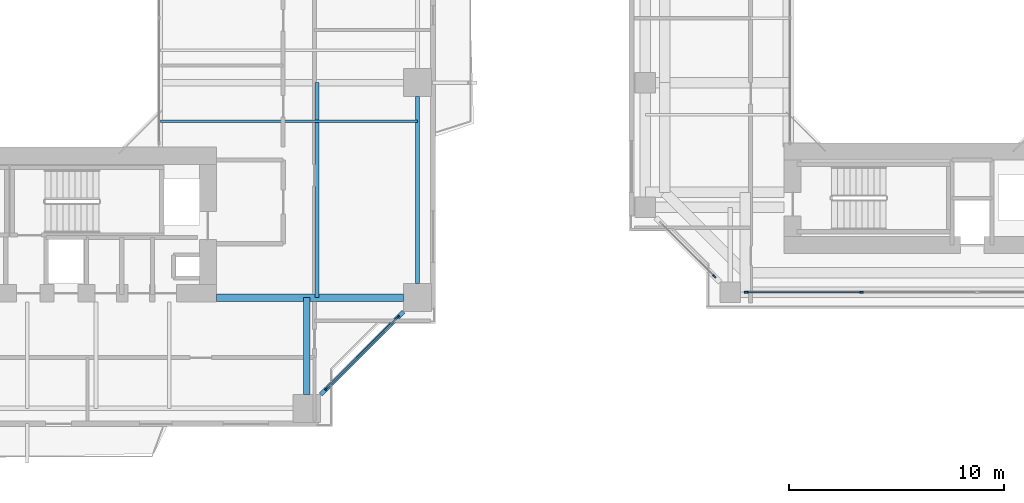
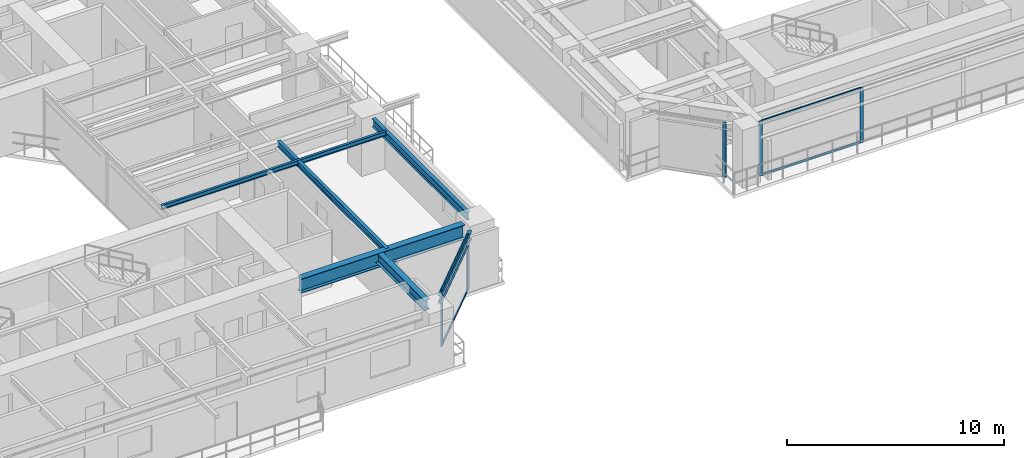
# One storey, part 5 of 23: 9 members, 6 beams, 3 elements without a shape of their own.
"""IFC4 building model written with IfcOpenShell, lengths in metres."""

from ifc_helpers import new_model, si_unit, direction, frame, origin, origin_2d, place, context, subcontext, project, spatial, rectangle, i_section, extrude, source, transform, mapped, material, layer, layer_set, material_profile, profile_set, type_object, element, aggregate, save


model = new_model("IFC4")

# Units and contexts
model_context = context("Model", 3, precision=1e-05, world=origin(), true_north=direction((0.0, 1.0)))
body_context = subcontext(model_context, "Body", "Model", "MODEL_VIEW")
ifc_project = project(units=[si_unit("LENGTHUNIT", "METRE"), si_unit("AREAUNIT", "SQUARE_METRE"), si_unit("VOLUMEUNIT", "CUBIC_METRE"), si_unit("PLANEANGLEUNIT", "RADIAN"), si_unit("MASSUNIT", "GRAM", prefix="KILO"), si_unit("THERMODYNAMICTEMPERATUREUNIT", "KELVIN"), si_unit("POWERUNIT", "WATT")], contexts=[model_context])

# Site, building, storey
site_placement = place(None, origin())
site = spatial("IfcSite", under=ifc_project, at=site_placement, CompositionType="ELEMENT")
building_placement = place(site_placement, origin())
building = spatial("IfcBuilding", under=site, at=building_placement, Name="Qiaomeng Ring Towers", CompositionType="ELEMENT")
storey_placement = place(building_placement, frame((0.0, 0.0, 66.5)))
storey = spatial("IfcBuildingStorey", under=building, at=storey_placement, Name="L18", CompositionType="ELEMENT", Elevation=66.5)

# Beams
ifc_material_1 = material(Name="Steel Q355B", Category="steel")
ifc_material_profile_1 = material_profile(ifc_material_1, i_section(OverallWidth=0.199951171875, OverallDepth=0.449951171875, WebThickness=0.009033203125, FlangeThickness=0.013916015625, FilletRadius=0.01806640625, at=origin_2d()), Name="HN 450x200x9x14")
ifc_profile_set_1 = profile_set([ifc_material_profile_1], Name="Steel Q355B")
beam_type_1 = type_object("IfcBeamType", Name="STR-BM-HN450", PredefinedType="SPANDREL", material=ifc_profile_set_1)
shared_shape_1 = source(origin(), body_context, "Body", "SweptSolid", [
    extrude(i_section(OverallWidth=0.199951171875, OverallDepth=0.449951171875, WebThickness=0.009033203125, FlangeThickness=0.013916015625, FilletRadius=0.01806640625, at=origin_2d()), origin(), (0.0, 0.0, 1.0), 5.446533203125),
])
beam_1_placement = place(storey_placement, frame((32.6494140625, 5.499267578125, 2.844970703125), z_axis=(0.707106781187, 0.707106781187, 0.0), x_axis=(-0.707106781187, 0.707106781187, 0.0)))
element("IfcBeam", 1, at=beam_1_placement, inside=storey, type_object=beam_type_1, Name="L18 beam STR-SP-L18-T1-S2-E1", PredefinedType="SPANDREL", context=body_context, shape_type="MappedRepresentation", body=[
    mapped(shared_shape_1, transform((0.0, 0.0, 0.0), x_axis=(1.0, 0.0, 0.0), y_axis=(0.0, 1.0, 0.0), z_axis=(0.0, 0.0, 1.0), scale=1.0)),
])
shared_shape_2 = source(origin(), body_context, "Body", "SweptSolid", [
    extrude(i_section(OverallWidth=0.199951171875, OverallDepth=0.449951171875, WebThickness=0.009033203125, FlangeThickness=0.013916015625, FilletRadius=0.01806640625, at=origin_2d()), origin(), (0.0, 0.0, 1.0), 8.7021484375),
])
beam_2_placement = place(storey_placement, frame((37.14990234375, 10.64892578125, 2.844970703125), z_axis=(0.0, 1.0, 0.0), x_axis=(-1.0, 0.0, 0.0)))
element("IfcBeam", 2, at=beam_2_placement, inside=storey, type_object=beam_type_1, Name="L18 beam STR-SP-L18-T1-E1-E2", PredefinedType="SPANDREL", context=body_context, shape_type="MappedRepresentation", body=[
    mapped(shared_shape_2, transform((0.0, 0.0, 0.0), x_axis=(1.0, 0.0, 0.0), y_axis=(0.0, 1.0, 0.0), z_axis=(0.0, 0.0, 1.0), scale=1.0)),
])
ifc_material_2 = material(Name="Steel Q390GJC", Category="steel")
ifc_material_profile_2 = material_profile(ifc_material_2, i_section(OverallWidth=0.35009765625, OverallDepth=0.800048828125, WebThickness=0.01611328125, FlangeThickness=0.028076171875, at=origin_2d()), Name="WH 800x350x16x28")
ifc_profile_set_2 = profile_set([ifc_material_profile_2], Name="Steel Q390GJC")
beam_type_2 = type_object("IfcBeamType", Name="STR-BM-WH800", PredefinedType="BEAM", material=ifc_profile_set_2)
shared_shape_3 = source(origin(), body_context, "Body", "SweptSolid", [
    extrude(i_section(OverallWidth=0.35009765625, OverallDepth=0.800048828125, WebThickness=0.01611328125, FlangeThickness=0.028076171875, at=origin_2d()), origin(), (0.0, 0.0, 1.0), 8.700927734375),
])
beam_3_placement = place(storey_placement, frame((27.800048828125, 10.0, 2.669921875), z_axis=(1.0, 0.0, 0.0), x_axis=(0.0, 1.0, 0.0)))
element("IfcBeam", 3, at=beam_3_placement, inside=storey, type_object=beam_type_2, Name="L18 beam STR-BM-L18-T1-RAD-E1", PredefinedType="BEAM", context=body_context, shape_type="MappedRepresentation", body=[
    mapped(shared_shape_3, transform((0.0, 0.0, 0.0), x_axis=(1.0, 0.0, 0.0), y_axis=(0.0, 1.0, 0.0), z_axis=(0.0, 0.0, 1.0), scale=1.0)),
])
ifc_material_profile_3 = material_profile(ifc_material_1, i_section(OverallWidth=0.300048828125, OverallDepth=0.587890625, WebThickness=0.011962890625, FlangeThickness=0.02001953125, FilletRadius=0.028076171875, at=origin_2d()), Name="HM 588x300x12x20")
ifc_profile_set_3 = profile_set([ifc_material_profile_3], Name="Steel Q355B")
beam_type_3 = type_object("IfcBeamType", Name="STR-BM-HM588", PredefinedType="BEAM", material=ifc_profile_set_3)
shared_shape_4 = source(origin(), body_context, "Body", "SweptSolid", [
    extrude(i_section(OverallWidth=0.300048828125, OverallDepth=0.587890625, WebThickness=0.011962890625, FlangeThickness=0.02001953125, FilletRadius=0.028076171875, at=origin_2d()), origin(), (0.0, 0.0, 1.0), 4.5009765625),
])
beam_4_placement = place(storey_placement, frame((32.0, 5.4990234375, 2.77587890625), z_axis=(0.0, 1.0, 0.0), x_axis=(-1.0, 0.0, 0.0)))
element("IfcBeam", 4, at=beam_4_placement, inside=storey, type_object=beam_type_3, Name="L18 beam STR-BM-L18-T1-RAD-S2", PredefinedType="BEAM", context=body_context, shape_type="MappedRepresentation", body=[
    mapped(shared_shape_4, transform((0.0, 0.0, 0.0), x_axis=(1.0, 0.0, 0.0), y_axis=(0.0, 1.0, 0.0), z_axis=(0.0, 0.0, 1.0), scale=1.0)),
])
ifc_material_profile_4 = material_profile(ifc_material_1, i_section(OverallWidth=0.125, OverallDepth=0.25, WebThickness=0.006103515625, FlangeThickness=0.009033203125, FilletRadius=0.011962890625, at=origin_2d()), Name="HN 250x125x6x9")
ifc_profile_set_4 = profile_set([ifc_material_profile_4], Name="Steel Q355B")
beam_type_4 = type_object("IfcBeamType", Name="STR-BM-HN250", PredefinedType="JOIST", material=ifc_profile_set_4)
shared_shape_5 = source(origin(), body_context, "Body", "SweptSolid", [
    extrude(i_section(OverallWidth=0.125, OverallDepth=0.25, WebThickness=0.006103515625, FlangeThickness=0.009033203125, FilletRadius=0.011962890625, at=origin_2d()), origin(), (0.0, 0.0, 1.0), 11.949951171875),
])
beam_5_placement = place(storey_placement, frame((25.199951171875, 18.199951171875, 2.945068359375), z_axis=(1.0, 0.0, 0.0), x_axis=(0.0, 1.0, 0.0)))
element("IfcBeam", 5, at=beam_5_placement, inside=storey, type_object=beam_type_4, Name="L18 beam STR-JST-L18-T1E-1", PredefinedType="JOIST", context=body_context, shape_type="MappedRepresentation", body=[
    mapped(shared_shape_5, transform((0.0, 0.0, 0.0), x_axis=(1.0, 0.0, 0.0), y_axis=(0.0, 1.0, 0.0), z_axis=(0.0, 0.0, 1.0), scale=1.0)),
])
ifc_material_profile_5 = material_profile(ifc_material_1, i_section(OverallWidth=0.175048828125, OverallDepth=0.35009765625, WebThickness=0.007080078125, FlangeThickness=0.010986328125, FilletRadius=0.013916015625, at=origin_2d()), Name="HN 350x175x7x11")
ifc_profile_set_5 = profile_set([ifc_material_profile_5], Name="Steel Q355B")
beam_type_5 = type_object("IfcBeamType", Name="STR-BM-HN350", PredefinedType="JOIST", material=ifc_profile_set_5)
shared_shape_6 = source(origin(), body_context, "Body", "SweptSolid", [
    extrude(i_section(OverallWidth=0.175048828125, OverallDepth=0.35009765625, WebThickness=0.007080078125, FlangeThickness=0.010986328125, FilletRadius=0.013916015625, at=origin_2d()), origin(), (0.0, 0.0, 1.0), 10.0),
])
beam_6_placement = place(storey_placement, frame((32.47509765625, 10.0, 2.89501953125), z_axis=(0.0, 1.0, 0.0), x_axis=(-1.0, 0.0, 0.0)))
element("IfcBeam", 6, at=beam_6_placement, inside=storey, type_object=beam_type_5, Name="L18 beam STR-JST-L18-T1C-ES", PredefinedType="JOIST", context=body_context, shape_type="MappedRepresentation", body=[
    mapped(shared_shape_6, transform((0.0, 0.0, 0.0), x_axis=(1.0, 0.0, 0.0), y_axis=(0.0, 1.0, 0.0), z_axis=(0.0, 0.0, 1.0), scale=1.0)),
])

# Curtain wall, members
ifc_material_3 = material(Name="Fluorocarbon dark-grey aluminium", Category="aluminium")
ifc_layer_1 = layer(ifc_material_3, 0.159912109375, Name="Fluorocarbon dark-grey aluminium")
ifc_layer_set_1 = layer_set([ifc_layer_1], Name="Fluorocarbon dark-grey aluminium")
curtain_wall_type_1 = type_object("IfcCurtainWallType", Name="ARC-CW-2", PredefinedType="NOTDEFINED", material=ifc_layer_set_1)
curtain_wall_1_placement = place(storey_placement, origin())
curtain_wall_1 = element("IfcCurtainWall", 7, at=curtain_wall_1_placement, inside=storey, type_object=curtain_wall_type_1, Name="L18 Curtain Wall CW2", PredefinedType="NOTDEFINED")
ifc_material_profile_6 = material_profile(ifc_material_3, rectangle(XDim=0.070068359375, YDim=0.179931640625, at=origin_2d()), Name="ALU MULL 70x180")
ifc_profile_set_6 = profile_set([ifc_material_profile_6], Name="Fluorocarbon dark-grey aluminium")
member_type_1 = type_object("IfcMemberType", Name="ARC-CWM-160", PredefinedType="MULLION", material=ifc_profile_set_6)
shared_shape_7 = source(origin(), body_context, "Body", "SweptSolid", [
    extrude(rectangle(XDim=0.070068359375, YDim=0.179931640625, at=origin_2d()), origin(), (0.0, 0.0, 1.0), 3.070068359375),
])
member_1_placement = place(storey_placement, frame((32.914794921875, 5.7646484375, 0.0), z_axis=(0.0, 0.0, 1.0), x_axis=(-0.707106781187, 0.707106781187, 0.0)))
member_1 = element("IfcMember", 8, at=member_1_placement, type_object=member_type_1, Name="CW2 mullion 1", PredefinedType="MULLION", context=body_context, shape_type="MappedRepresentation", body=[
    mapped(shared_shape_7, transform((0.0, 0.0, 0.0), x_axis=(1.0, 0.0, 0.0), y_axis=(0.0, 1.0, 0.0), z_axis=(0.0, 0.0, 1.0), scale=1.0)),
])
member_2_placement = place(storey_placement, frame((36.2353515625, 9.085205078125, 0.0), z_axis=(0.0, 0.0, 1.0), x_axis=(-0.707106781187, 0.707106781187, 0.0)))
member_2 = element("IfcMember", 9, at=member_2_placement, type_object=member_type_1, Name="CW2 mullion 2", PredefinedType="MULLION", context=body_context, shape_type="MappedRepresentation", body=[
    mapped(shared_shape_7, transform((0.0, 0.0, 0.0), x_axis=(1.0, 0.0, 0.0), y_axis=(0.0, 1.0, 0.0), z_axis=(0.0, 0.0, 1.0), scale=1.0)),
])

# Curtain wall, member
ifc_layer_2 = layer(ifc_material_3, 0.14990234375, Name="Fluorocarbon dark-grey aluminium")
ifc_layer_set_2 = layer_set([ifc_layer_2], Name="Fluorocarbon dark-grey aluminium")
curtain_wall_type_2 = type_object("IfcCurtainWallType", Name="ARC-CW-5", PredefinedType="NOTDEFINED", material=ifc_layer_set_2)
curtain_wall_2_placement = place(storey_placement, origin())
curtain_wall_2 = element("IfcCurtainWall", 10, at=curtain_wall_2_placement, inside=storey, type_object=curtain_wall_type_2, Name="L18 Curtain Wall CW5", PredefinedType="NOTDEFINED")
member_3_placement = place(storey_placement, frame((50.960205078125, 10.98974609375, 0.0), z_axis=(0.0, 0.0, 1.0), x_axis=(0.707106781187, 0.707106781187, 0.0)))
member_3 = element("IfcMember", 11, at=member_3_placement, type_object=member_type_1, Name="CW5 mullion 2", PredefinedType="MULLION", context=body_context, shape_type="MappedRepresentation", body=[
    mapped(shared_shape_7, transform((0.0, 0.0, 0.0), x_axis=(1.0, 0.0, 0.0), y_axis=(0.0, 1.0, 0.0), z_axis=(0.0, 0.0, 1.0), scale=1.0)),
])
aggregate(curtain_wall_2, [member_3])

# Curtain wall, members
curtain_wall_3_placement = place(storey_placement, origin())
curtain_wall_3 = element("IfcCurtainWall", 12, at=curtain_wall_3_placement, inside=storey, type_object=curtain_wall_type_2, Name="L18 Curtain Wall CW5", PredefinedType="NOTDEFINED")
member_4_placement = place(storey_placement, frame((52.449951171875, 10.25, 0.0), z_axis=(0.0, 0.0, 1.0), x_axis=(0.0, 1.0, 0.0)))
member_4 = element("IfcMember", 13, at=member_4_placement, type_object=member_type_1, Name="CW5 mullion 1", PredefinedType="MULLION", context=body_context, shape_type="MappedRepresentation", body=[
    mapped(shared_shape_7, transform((0.0, 0.0, 0.0), x_axis=(1.0, 0.0, 0.0), y_axis=(0.0, 1.0, 0.0), z_axis=(0.0, 0.0, 1.0), scale=1.0)),
])
member_5_placement = place(storey_placement, frame((57.804931640625, 10.25, 0.0), z_axis=(0.0, 0.0, 1.0), x_axis=(0.0, 1.0, 0.0)))
member_5 = element("IfcMember", 14, at=member_5_placement, type_object=member_type_1, Name="CW5 mullion 2", PredefinedType="MULLION", context=body_context, shape_type="MappedRepresentation", body=[
    mapped(shared_shape_7, transform((0.0, 0.0, 0.0), x_axis=(1.0, 0.0, 0.0), y_axis=(0.0, 1.0, 0.0), z_axis=(0.0, 0.0, 1.0), scale=1.0)),
])

# Member
ifc_material_profile_7 = material_profile(ifc_material_3, rectangle(XDim=0.06494140625, YDim=0.1298828125, at=origin_2d()), Name="ALU TRAN 65x130")
ifc_profile_set_7 = profile_set([ifc_material_profile_7], Name="Fluorocarbon dark-grey aluminium")
member_type_2 = type_object("IfcMemberType", Name="ARC-CWT-120", PredefinedType="USERDEFINED", material=ifc_profile_set_7)
shared_shape_8 = source(origin(), body_context, "Body", "SweptSolid", [
    extrude(rectangle(XDim=0.06494140625, YDim=0.1298828125, at=origin_2d()), origin(), (0.0, 0.0, 1.0), 4.6259765625),
])
member_6_placement = place(storey_placement, frame((32.939453125, 5.78955078125, 0.032470703125), z_axis=(0.707106781187, 0.707106781187, 0.0), x_axis=(-0.707106781187, 0.707106781187, 0.0)))
member_6 = element("IfcMember", 15, at=member_6_placement, type_object=member_type_2, Name="CW2 transom 1.1", ObjectType="TRANSOM", PredefinedType="USERDEFINED", context=body_context, shape_type="MappedRepresentation", body=[
    mapped(shared_shape_8, transform((0.0, 0.0, 0.0), x_axis=(1.0, 0.0, 0.0), y_axis=(0.0, 1.0, 0.0), z_axis=(0.0, 0.0, 1.0), scale=1.0)),
])

member_7_placement = place(storey_placement, frame((32.939453125, 5.78955078125, 3.03759765625), z_axis=(0.707106781187, 0.707106781187, 0.0), x_axis=(-0.707106781187, 0.707106781187, 0.0)))
member_7 = element("IfcMember", 16, at=member_7_placement, type_object=member_type_2, Name="CW2 transom 1.2", ObjectType="TRANSOM", PredefinedType="USERDEFINED", context=body_context, shape_type="MappedRepresentation", body=[
    mapped(shared_shape_8, transform((0.0, 0.0, 0.0), x_axis=(1.0, 0.0, 0.0), y_axis=(0.0, 1.0, 0.0), z_axis=(0.0, 0.0, 1.0), scale=1.0)),
])

aggregate(curtain_wall_1, [member_1, member_2, member_6, member_7])

shared_shape_9 = source(origin(), body_context, "Body", "SweptSolid", [
    extrude(rectangle(XDim=0.06494140625, YDim=0.1298828125, at=origin_2d()), origin(), (0.0, 0.0, 1.0), 5.284912109375),
])
member_8_placement = place(storey_placement, frame((52.485107421875, 10.25, 0.032470703125), z_axis=(1.0, 0.0, 0.0), x_axis=(0.0, 1.0, 0.0)))
member_8 = element("IfcMember", 17, at=member_8_placement, type_object=member_type_2, Name="CW5 transom 1.1", ObjectType="TRANSOM", PredefinedType="USERDEFINED", context=body_context, shape_type="MappedRepresentation", body=[
    mapped(shared_shape_9, transform((0.0, 0.0, 0.0), x_axis=(1.0, 0.0, 0.0), y_axis=(0.0, 1.0, 0.0), z_axis=(0.0, 0.0, 1.0), scale=1.0)),
])

member_9_placement = place(storey_placement, frame((52.485107421875, 10.25, 3.03759765625), z_axis=(1.0, 0.0, 0.0), x_axis=(0.0, 1.0, 0.0)))
member_9 = element("IfcMember", 18, at=member_9_placement, type_object=member_type_2, Name="CW5 transom 1.2", ObjectType="TRANSOM", PredefinedType="USERDEFINED", context=body_context, shape_type="MappedRepresentation", body=[
    mapped(shared_shape_9, transform((0.0, 0.0, 0.0), x_axis=(1.0, 0.0, 0.0), y_axis=(0.0, 1.0, 0.0), z_axis=(0.0, 0.0, 1.0), scale=1.0)),
])

aggregate(curtain_wall_3, [member_4, member_5, member_8, member_9])

save(model, "model.ifc")
